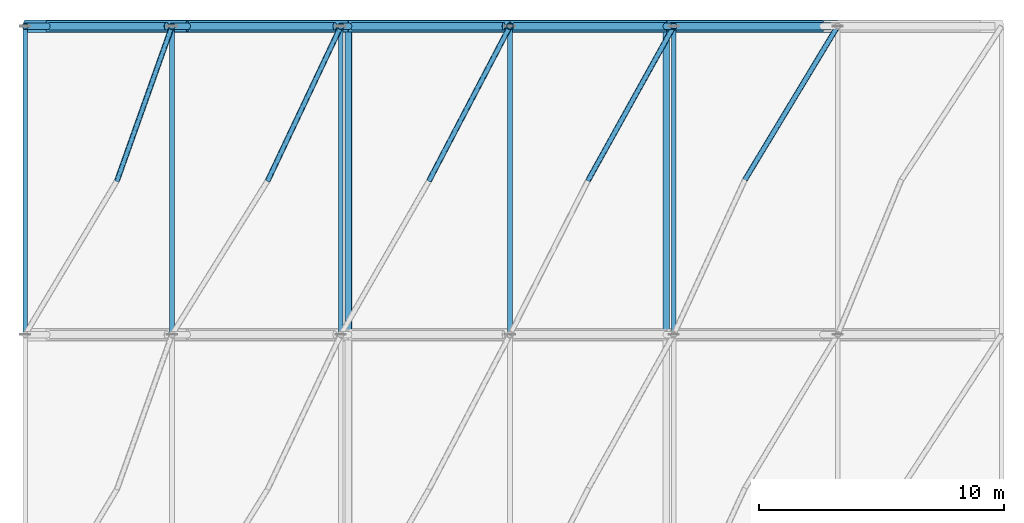
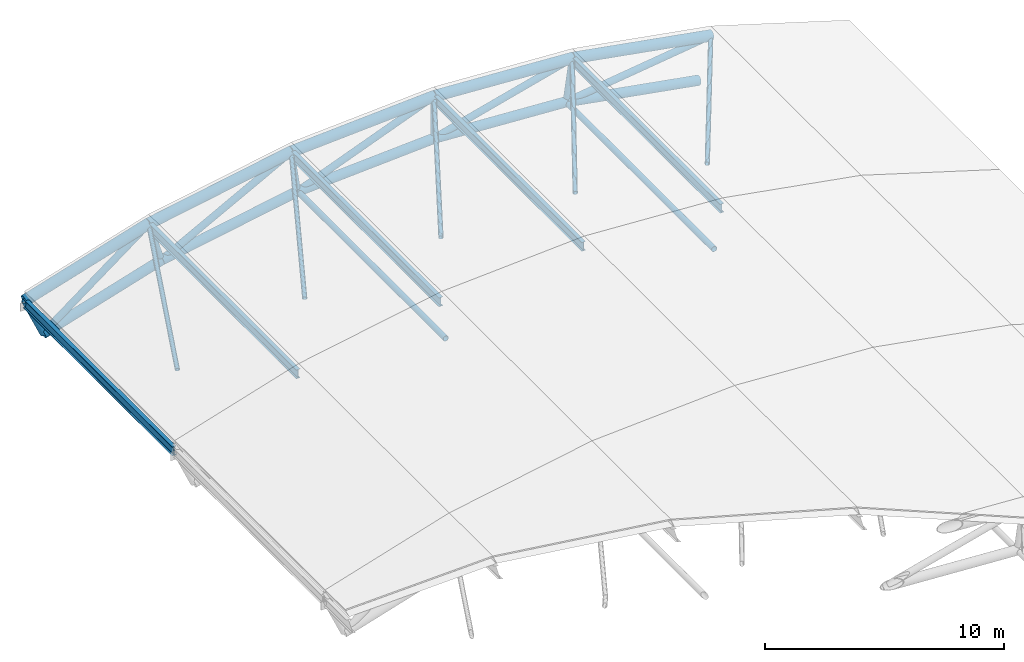
# One storey, part 11 of 18: 32 members.
"""IFC4 building model written with IfcOpenShell, lengths in metres."""

from ifc_helpers import new_model, si_unit, derived_unit, direction, frame, origin, origin_2d, place, context, subcontext, project, spatial, hollow_circle, i_section, extrude, material, material_profile, profile_set, type_object, element, save


model = new_model("IFC4")

# Units and contexts
model_context = context("Model", 3, precision=1e-05, world=origin(), true_north=direction((0.0, 1.0)))
body_context = subcontext(model_context, "Body", "Model", "MODEL_VIEW")
ifc_project = project(units=[si_unit("LENGTHUNIT", "METRE"), si_unit("AREAUNIT", "SQUARE_METRE"), si_unit("VOLUMEUNIT", "CUBIC_METRE"), si_unit("PLANEANGLEUNIT", "RADIAN"), si_unit("MASSUNIT", "GRAM", prefix="KILO"), derived_unit("THERMALTRANSMITTANCEUNIT", [(si_unit("MASSUNIT", "GRAM", prefix="KILO"), 1), (si_unit("TIMEUNIT", "SECOND"), -3), (si_unit("THERMODYNAMICTEMPERATUREUNIT", "KELVIN"), -1)])], contexts=[model_context])

# Site, building, storey
site_placement = place(None, origin())
site = spatial("IfcSite", under=ifc_project, at=site_placement, CompositionType="ELEMENT")
building_placement = place(site_placement, origin())
building = spatial("IfcBuilding", under=site, at=building_placement, Name="Valcora Ridge Arena", CompositionType="ELEMENT")
storey_placement = place(building_placement, frame((0.0, 0.0, 39.800048828125)))
storey = spatial("IfcBuildingStorey", under=building, at=storey_placement, Name="RF", CompositionType="ELEMENT", Elevation=39.800048828125)

# Members
ifc_material_1 = material(Name="Steel ASTM A572 Grade 50", Category="steel")
ifc_material_profile_1 = material_profile(ifc_material_1, i_section(OverallWidth=0.18994140625, OverallDepth=0.45703125, WebThickness=0.009033203125, FlangeThickness=0.014404296875, FilletRadius=0.014892578125, at=origin_2d()), Name="W18X50")
ifc_profile_set_1 = profile_set([ifc_material_profile_1], Name="Steel ASTM A572 Grade 50")
member_type_1 = type_object("IfcMemberType", Name="TY-MEMBER-PUR-W18X50", PredefinedType="PURLIN", material=ifc_profile_set_1)
for number, where, z_axis, x_axis, name in (
    (1, (36.0, 95.64990234375, -2.4501953125), (0.0, 1.0, 0.0), (-1.0, 0.0, 0.0), "PUR-W18X50 SF-PR-PUR-W18X50-0075"),
    (2, (42.0, 95.64990234375, -0.606689453125), (0.0, 1.0, 0.0), (-1.0, 0.0, 0.0), "PUR-W18X50 SF-PR-PUR-W18X50-0076"),
    (3, (48.89990234375, 95.64990234375, 0.662841796875), (0.0, 1.0, 0.0), (-1.0, 0.0, 0.0), "PUR-W18X50 SF-PR-PUR-W18X50-0077"),
    (4, (55.81005859375, 95.64990234375, 1.07958984375), (0.0, 1.0, 0.0), (-1.0, 0.0, 0.0), "PUR-W18X50 SF-PR-PUR-W18X50-0078"),
    (5, (62.5, 95.64990234375, 0.68603515625), (0.0, 1.0, 0.0), (-1.0, 0.0, 0.0), "PUR-W18X50 SF-PR-PUR-W18X50-0079"),
):
    element("IfcMember", number, at=place(storey_placement, frame(where, z_axis=z_axis, x_axis=x_axis)), inside=storey, type_object=member_type_1, Name=name, PredefinedType="PURLIN", context=body_context, shape_type="SweptSolid", body=[
        extrude(i_section(OverallWidth=0.18994140625, OverallDepth=0.45703125, WebThickness=0.009033203125, FlangeThickness=0.014404296875, FilletRadius=0.014892578125, at=origin_2d()), origin(), (0.0, 0.0, 1.0), 12.5),
    ])
ifc_material_2 = material(Name="Steel ASTM A500 Grade C", Category="steel")
ifc_material_profile_2 = material_profile(ifc_material_2, hollow_circle(Radius=0.228515625, WallThickness=0.01611328125, at=origin_2d()), Name="CHS457X16")
ifc_profile_set_2 = profile_set([ifc_material_profile_2], Name="Steel ASTM A500 Grade C")
member_type_2 = type_object("IfcMemberType", Name="TY-MEMBER-SFBC-457", PredefinedType="CHORD", material=ifc_profile_set_2)
member_1_placement = place(storey_placement, frame((36.895751953125, 108.199951171875, -4.36083984375), z_axis=(0.956190411575, 0.0, 0.292745447124), x_axis=(0.0, 1.0, 0.0)))
element("IfcMember", 6, at=member_1_placement, inside=storey, type_object=member_type_2, Name="SFBC-457 Space Frame Bottom Chord", PredefinedType="CHORD", context=body_context, shape_type="SweptSolid", body=[
    extrude(hollow_circle(Radius=0.228515625, WallThickness=0.01611328125, at=origin_2d()), origin(), (0.0, 0.0, 1.0), 5.9912109375),
])
member_2_placement = place(storey_placement, frame((42.62451171875, 108.199951171875, -2.60693359375), z_axis=(0.983574646762, 0.0, 0.180501840008), x_axis=(0.0, 1.0, 0.0)))
element("IfcMember", 7, at=member_2_placement, inside=storey, type_object=member_type_2, Name="SFBC-457 Space Frame Bottom Chord", PredefinedType="CHORD", context=body_context, shape_type="SweptSolid", body=[
    extrude(hollow_circle(Radius=0.228515625, WallThickness=0.01611328125, at=origin_2d()), origin(), (0.0, 0.0, 1.0), 6.697998046875),
])
member_3_placement = place(storey_placement, frame((49.21240234375, 108.199951171875, -1.39794921875), z_axis=(0.998185892949, 0.0, 0.060207334425), x_axis=(0.0, 1.0, 0.0)))
element("IfcMember", 8, at=member_3_placement, inside=storey, type_object=member_type_2, Name="SFBC-457 Space Frame Bottom Chord", PredefinedType="CHORD", context=body_context, shape_type="SweptSolid", body=[
    extrude(hollow_circle(Radius=0.228515625, WallThickness=0.01611328125, at=origin_2d()), origin(), (0.0, 0.0, 1.0), 6.609619140625),
])
member_4_placement = place(storey_placement, frame((55.81005859375, 108.199951171875, -1.0), z_axis=(0.998298890165, 0.0, -0.058303738263), x_axis=(0.0, 1.0, 0.0)))
element("IfcMember", 9, at=member_4_placement, inside=storey, type_object=member_type_2, Name="SFBC-457 Space Frame Bottom Chord", PredefinedType="CHORD", context=body_context, shape_type="SweptSolid", body=[
    extrude(hollow_circle(Radius=0.228515625, WallThickness=0.01611328125, at=origin_2d()), origin(), (0.0, 0.0, 1.0), 6.3984375),
])
member_5_placement = place(storey_placement, frame((62.197509765625, 108.199951171875, -1.373046875), z_axis=(0.98458279147, 0.0, -0.174919200607), x_axis=(0.0, 1.0, 0.0)))
element("IfcMember", 10, at=member_5_placement, inside=storey, type_object=member_type_2, Name="SFBC-457 Space Frame Bottom Chord", PredefinedType="CHORD", context=body_context, shape_type="SweptSolid", body=[
    extrude(hollow_circle(Radius=0.228515625, WallThickness=0.01611328125, at=origin_2d()), origin(), (0.0, 0.0, 1.0), 6.4970703125),
])
ifc_material_profile_3 = material_profile(ifc_material_2, hollow_circle(Radius=0.136474609375, WallThickness=0.012451171875, at=origin_2d()), Name="CHS273X12")
ifc_profile_set_3 = profile_set([ifc_material_profile_3], Name="Steel ASTM A500 Grade C")
member_type_3 = type_object("IfcMemberType", Name="TY-MEMBER-SFBT-273", PredefinedType="STRUT", material=ifc_profile_set_3)
for number, where, z_axis, x_axis, name in (
    (11, (49.21240234375, 95.780029296875, -1.39794921875), (0.0, 1.0, 0.0), (-1.0, 0.0, 0.0), "SFBT-273 Space Frame Bottom Strut"),
    (12, (62.197509765625, 95.780029296875, -1.373046875), (0.0, 1.0, 0.0), (-1.0, 0.0, 0.0), "SFBT-273 Space Frame Bottom Strut"),
):
    element("IfcMember", number, at=place(storey_placement, frame(where, z_axis=z_axis, x_axis=x_axis)), inside=storey, type_object=member_type_3, Name=name, PredefinedType="STRUT", context=body_context, shape_type="SweptSolid", body=[
        extrude(hollow_circle(Radius=0.136474609375, WallThickness=0.012451171875, at=origin_2d()), origin(), (0.0, 0.0, 1.0), 12.239990234375),
    ])
ifc_material_profile_4 = material_profile(ifc_material_2, hollow_circle(Radius=0.136474609375, WallThickness=0.012451171875, at=origin_2d()), Name="CHS273X12")
ifc_profile_set_4 = profile_set([ifc_material_profile_4], Name="Steel ASTM A500 Grade C")
member_type_4 = type_object("IfcMemberType", Name="TY-MEMBER-SFKP-273", PredefinedType="POST", material=ifc_profile_set_4)
member_6_placement = place(storey_placement, frame((36.895751953125, 108.199951171875, -4.36083984375), z_axis=(-0.41033677555, 0.0, 0.911934060462), x_axis=(0.0, -1.0, 0.0)))
element("IfcMember", 13, at=member_6_placement, inside=storey, type_object=member_type_4, Name="SFKP-273 Space Frame King Post", PredefinedType="POST", context=body_context, shape_type="SweptSolid", body=[
    extrude(hollow_circle(Radius=0.136474609375, WallThickness=0.012451171875, at=origin_2d()), origin(), (0.0, 0.0, 1.0), 2.182861328125),
])
member_7_placement = place(storey_placement, frame((42.62451171875, 108.199951171875, -2.60693359375), z_axis=(-0.28833013045, 0.0, 0.957531062616), x_axis=(0.0, -1.0, 0.0)))
element("IfcMember", 14, at=member_7_placement, inside=storey, type_object=member_type_4, Name="SFKP-273 Space Frame King Post", PredefinedType="POST", context=body_context, shape_type="SweptSolid", body=[
    extrude(hollow_circle(Radius=0.136474609375, WallThickness=0.012451171875, at=origin_2d()), origin(), (0.0, 0.0, 1.0), 2.166015625),
])
member_8_placement = place(storey_placement, frame((49.21240234375, 108.199951171875, -1.39794921875), z_axis=(-0.145069807623, 0.0, 0.989421422305), x_axis=(0.0, -1.0, 0.0)))
element("IfcMember", 15, at=member_8_placement, inside=storey, type_object=member_type_4, Name="SFKP-273 Space Frame King Post", PredefinedType="POST", context=body_context, shape_type="SweptSolid", body=[
    extrude(hollow_circle(Radius=0.136474609375, WallThickness=0.012451171875, at=origin_2d()), origin(), (0.0, 0.0, 1.0), 2.154052734375),
])
member_9_placement = place(storey_placement, frame((55.81005859375, 108.199951171875, -1.0), z_axis=(0.0, 0.0, 1.0), x_axis=(1.0, 0.0, 0.0)))
element("IfcMember", 16, at=member_9_placement, inside=storey, type_object=member_type_4, Name="SFKP-273 Space Frame King Post", PredefinedType="POST", context=body_context, shape_type="SweptSolid", body=[
    extrude(hollow_circle(Radius=0.136474609375, WallThickness=0.012451171875, at=origin_2d()), origin(), (0.0, 0.0, 1.0), 2.14990234375),
])
member_10_placement = place(storey_placement, frame((62.197509765625, 108.199951171875, -1.373046875), z_axis=(0.140453193158, 0.0, 0.99008731965), x_axis=(0.0, 1.0, 0.0)))
element("IfcMember", 17, at=member_10_placement, inside=storey, type_object=member_type_4, Name="SFKP-273 Space Frame King Post", PredefinedType="POST", context=body_context, shape_type="SweptSolid", body=[
    extrude(hollow_circle(Radius=0.136474609375, WallThickness=0.012451171875, at=origin_2d()), origin(), (0.0, 0.0, 1.0), 2.153564453125),
])
ifc_material_profile_5 = material_profile(ifc_material_2, hollow_circle(Radius=0.109619140625, WallThickness=0.010009765625, at=origin_2d()), Name="CHS219X10")
ifc_profile_set_5 = profile_set([ifc_material_profile_5], Name="Steel ASTM A500 Grade C")
member_type_5 = type_object("IfcMemberType", Name="TY-MEMBER-SFST-219", PredefinedType="STRUT", material=ifc_profile_set_5)
member_11_placement = place(storey_placement, frame((39.760009765625, 101.89990234375, -3.3984375), z_axis=(0.307921307202, 0.866039164288, 0.39390434688), x_axis=(-0.942215970866, 0.335006065983, 0.0)))
element("IfcMember", 18, at=member_11_placement, inside=storey, type_object=member_type_5, Name="SFST-219 Space Frame Tie Strut", PredefinedType="STRUT", context=body_context, shape_type="SweptSolid", body=[
    extrude(hollow_circle(Radius=0.109619140625, WallThickness=0.010009765625, at=origin_2d()), origin(), (0.0, 0.0, 1.0), 7.274658203125),
])
member_12_placement = place(storey_placement, frame((45.91845703125, 101.89990234375, -1.8984375), z_axis=(0.400180692741, 0.845616015082, 0.353254820484), x_axis=(-0.903892552014, 0.427759575478, 0.0)))
element("IfcMember", 19, at=member_12_placement, inside=storey, type_object=member_type_5, Name="SFST-219 Space Frame Tie Strut", PredefinedType="STRUT", context=body_context, shape_type="SweptSolid", body=[
    extrude(hollow_circle(Radius=0.109619140625, WallThickness=0.010009765625, at=origin_2d()), origin(), (0.0, 0.0, 1.0), 7.4501953125),
])
member_13_placement = place(storey_placement, frame((52.51123046875, 101.89990234375, -1.099365234375), z_axis=(0.442279706619, 0.844658661138, 0.30156327243), x_axis=(-0.885900736373, 0.463874859519, 0.0)))
element("IfcMember", 20, at=member_13_placement, inside=storey, type_object=member_type_5, Name="SFST-219 Space Frame Tie Strut", PredefinedType="STRUT", context=body_context, shape_type="SweptSolid", body=[
    extrude(hollow_circle(Radius=0.109619140625, WallThickness=0.010009765625, at=origin_2d()), origin(), (0.0, 0.0, 1.0), 7.458740234375),
])
member_14_placement = place(storey_placement, frame((59.003662109375, 101.89990234375, -1.093017578125), z_axis=(0.469970193804, 0.846838967329, 0.248981485957), x_axis=(-0.874374557103, 0.485251619154, 0.0)))
element("IfcMember", 21, at=member_14_placement, inside=storey, type_object=member_type_5, Name="SFST-219 Space Frame Tie Strut", PredefinedType="STRUT", context=body_context, shape_type="SweptSolid", body=[
    extrude(hollow_circle(Radius=0.109619140625, WallThickness=0.010009765625, at=origin_2d()), origin(), (0.0, 0.0, 1.0), 7.439453125),
])
member_15_placement = place(storey_placement, frame((65.39599609375, 101.89990234375, -1.843505859375), z_axis=(0.50761778143, 0.84070835311, 0.188503721414), x_axis=(-0.856055305628, 0.516884236272, 0.0)))
element("IfcMember", 22, at=member_15_placement, inside=storey, type_object=member_type_5, Name="SFST-219 Space Frame Tie Strut", PredefinedType="STRUT", context=body_context, shape_type="SweptSolid", body=[
    extrude(hollow_circle(Radius=0.109619140625, WallThickness=0.010009765625, at=origin_2d()), origin(), (0.0, 0.0, 1.0), 7.49365234375),
])
ifc_material_profile_6 = material_profile(ifc_material_2, hollow_circle(Radius=0.25390625, WallThickness=0.01611328125, at=origin_2d()), Name="CHS508X16")
ifc_profile_set_6 = profile_set([ifc_material_profile_6], Name="Steel ASTM A500 Grade C")
member_type_6 = type_object("IfcMemberType", Name="TY-MEMBER-SFTC-508", PredefinedType="CHORD", material=ifc_profile_set_6)
member_16_placement = place(storey_placement, frame((36.0, 108.199951171875, -2.3701171875), z_axis=(0.956181062975, 0.0, 0.292775980586), x_axis=(0.0, 1.0, 0.0)))
element("IfcMember", 23, at=member_16_placement, inside=storey, type_object=member_type_6, Name="SFTC-508 Space Frame Top Chord", PredefinedType="CHORD", context=body_context, shape_type="SweptSolid", body=[
    extrude(hollow_circle(Radius=0.25390625, WallThickness=0.01611328125, at=origin_2d()), origin(), (0.0, 0.0, 1.0), 6.27490234375),
])
member_17_placement = place(storey_placement, frame((42.0, 108.199951171875, -0.532958984375), z_axis=(0.983571765231, 0.0, 0.180517541089), x_axis=(0.0, 1.0, 0.0)))
element("IfcMember", 24, at=member_17_placement, inside=storey, type_object=member_type_6, Name="SFTC-508 Space Frame Top Chord", PredefinedType="CHORD", context=body_context, shape_type="SweptSolid", body=[
    extrude(hollow_circle(Radius=0.25390625, WallThickness=0.01611328125, at=origin_2d()), origin(), (0.0, 0.0, 1.0), 7.01513671875),
])
member_18_placement = place(storey_placement, frame((48.89990234375, 108.199951171875, 0.7333984375), z_axis=(0.998188446948, 0.0, 0.060164976346), x_axis=(0.0, 1.0, 0.0)))
element("IfcMember", 25, at=member_18_placement, inside=storey, type_object=member_type_6, Name="SFTC-508 Space Frame Top Chord", PredefinedType="CHORD", context=body_context, shape_type="SweptSolid", body=[
    extrude(hollow_circle(Radius=0.25390625, WallThickness=0.01611328125, at=origin_2d()), origin(), (0.0, 0.0, 1.0), 6.922607421875),
])
member_19_placement = place(storey_placement, frame((55.81005859375, 108.199951171875, 1.14990234375), z_axis=(0.998299656479, 0.0, -0.058290615662), x_axis=(0.0, 1.0, 0.0)))
element("IfcMember", 26, at=member_19_placement, inside=storey, type_object=member_type_6, Name="SFTC-508 Space Frame Top Chord", PredefinedType="CHORD", context=body_context, shape_type="SweptSolid", body=[
    extrude(hollow_circle(Radius=0.25390625, WallThickness=0.01611328125, at=origin_2d()), origin(), (0.0, 0.0, 1.0), 6.701416015625),
])
member_20_placement = place(storey_placement, frame((62.5, 108.199951171875, 0.75927734375), z_axis=(0.984585719015, 0.0, -0.174902721284), x_axis=(0.0, 1.0, 0.0)))
element("IfcMember", 27, at=member_20_placement, inside=storey, type_object=member_type_6, Name="SFTC-508 Space Frame Top Chord", PredefinedType="CHORD", context=body_context, shape_type="SweptSolid", body=[
    extrude(hollow_circle(Radius=0.25390625, WallThickness=0.01611328125, at=origin_2d()), origin(), (0.0, 0.0, 1.0), 6.804931640625),
])
ifc_material_profile_7 = material_profile(ifc_material_2, hollow_circle(Radius=0.161865234375, WallThickness=0.012451171875, at=origin_2d()), Name="CHS323X12")
ifc_profile_set_7 = profile_set([ifc_material_profile_7], Name="Steel ASTM A500 Grade C")
member_type_7 = type_object("IfcMemberType", Name="TY-MEMBER-SFWB-323", PredefinedType="BRACE", material=ifc_profile_set_7)
member_21_placement = place(storey_placement, frame((37.023681640625, 108.199951171875, -4.264892578125), z_axis=(0.800014795818, 0.0, 0.599980271736), x_axis=(0.0, 1.0, 0.0)))
element("IfcMember", 28, at=member_21_placement, inside=storey, type_object=member_type_7, Name="SFWB-323 Space Frame Diagonal Brace", PredefinedType="BRACE", context=body_context, shape_type="SweptSolid", body=[
    extrude(hollow_circle(Radius=0.161865234375, WallThickness=0.012451171875, at=origin_2d()), origin(), (0.0, 0.0, 1.0), 5.940185546875),
])
member_22_placement = place(storey_placement, frame((42.765625, 108.199951171875, -2.53173828125), z_axis=(0.882744799962, 0.0, 0.469852762193), x_axis=(0.0, 1.0, 0.0)))
element("IfcMember", 29, at=member_22_placement, inside=storey, type_object=member_type_7, Name="SFWB-323 Space Frame Diagonal Brace", PredefinedType="BRACE", context=body_context, shape_type="SweptSolid", body=[
    extrude(hollow_circle(Radius=0.161865234375, WallThickness=0.012451171875, at=origin_2d()), origin(), (0.0, 0.0, 1.0), 6.669189453125),
])
member_23_placement = place(storey_placement, frame((49.36181640625, 108.199951171875, -1.34033203125), z_axis=(0.932850436779, 0.0, 0.360263879124), x_axis=(0.0, 1.0, 0.0)))
element("IfcMember", 30, at=member_23_placement, inside=storey, type_object=member_type_7, Name="SFWB-323 Space Frame Diagonal Brace", PredefinedType="BRACE", context=body_context, shape_type="SweptSolid", body=[
    extrude(hollow_circle(Radius=0.161865234375, WallThickness=0.012451171875, at=origin_2d()), origin(), (0.0, 0.0, 1.0), 6.63232421875),
])
member_24_placement = place(storey_placement, frame((55.964599609375, 108.199951171875, -0.959228515625), z_axis=(0.967117485825, 0.0, 0.254330038751), x_axis=(0.0, 1.0, 0.0)))
element("IfcMember", 31, at=member_24_placement, inside=storey, type_object=member_type_7, Name="SFWB-323 Space Frame Diagonal Brace", PredefinedType="BRACE", context=body_context, shape_type="SweptSolid", body=[
    extrude(hollow_circle(Radius=0.161865234375, WallThickness=0.012451171875, at=origin_2d()), origin(), (0.0, 0.0, 1.0), 6.4775390625),
])
member_25_placement = place(storey_placement, frame((62.356201171875, 108.199951171875, -1.3515625), z_axis=(0.991073399433, 0.0, 0.133317354222), x_axis=(0.0, 1.0, 0.0)))
element("IfcMember", 32, at=member_25_placement, inside=storey, type_object=member_type_7, Name="SFWB-323 Space Frame Diagonal Brace", PredefinedType="BRACE", context=body_context, shape_type="SweptSolid", body=[
    extrude(hollow_circle(Radius=0.161865234375, WallThickness=0.012451171875, at=origin_2d()), origin(), (0.0, 0.0, 1.0), 6.62548828125),
])

save(model, "model.ifc")
